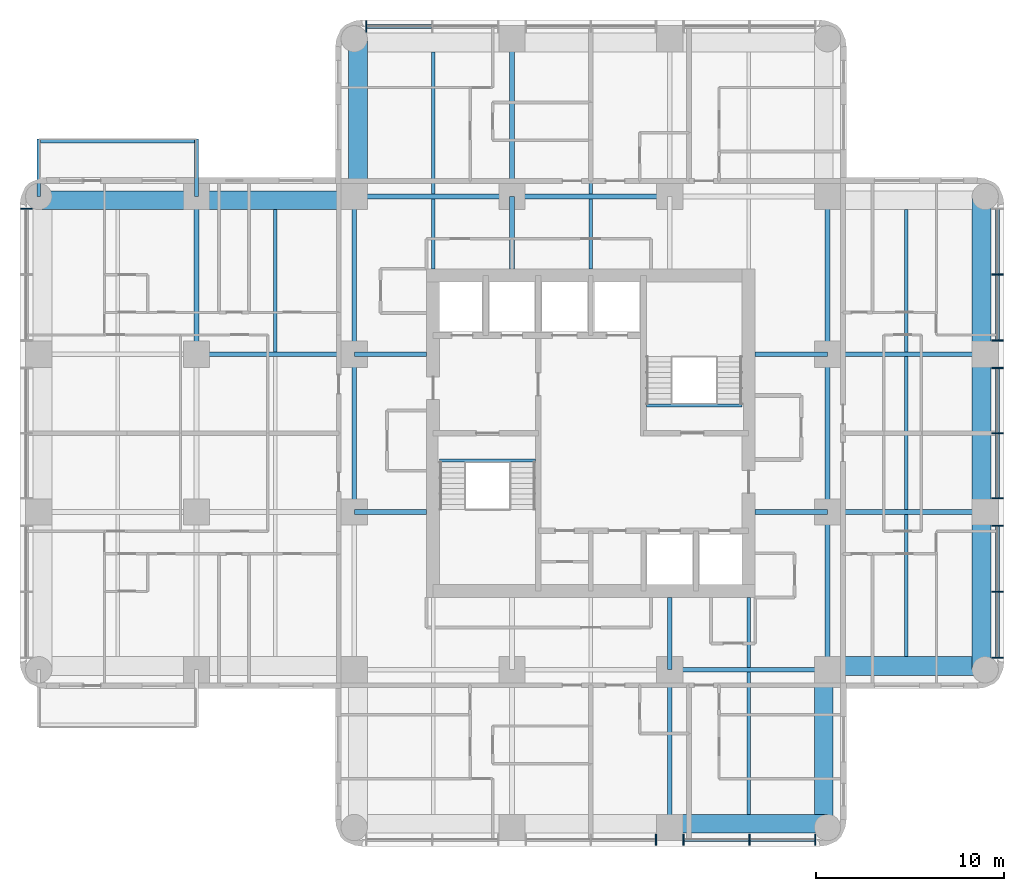
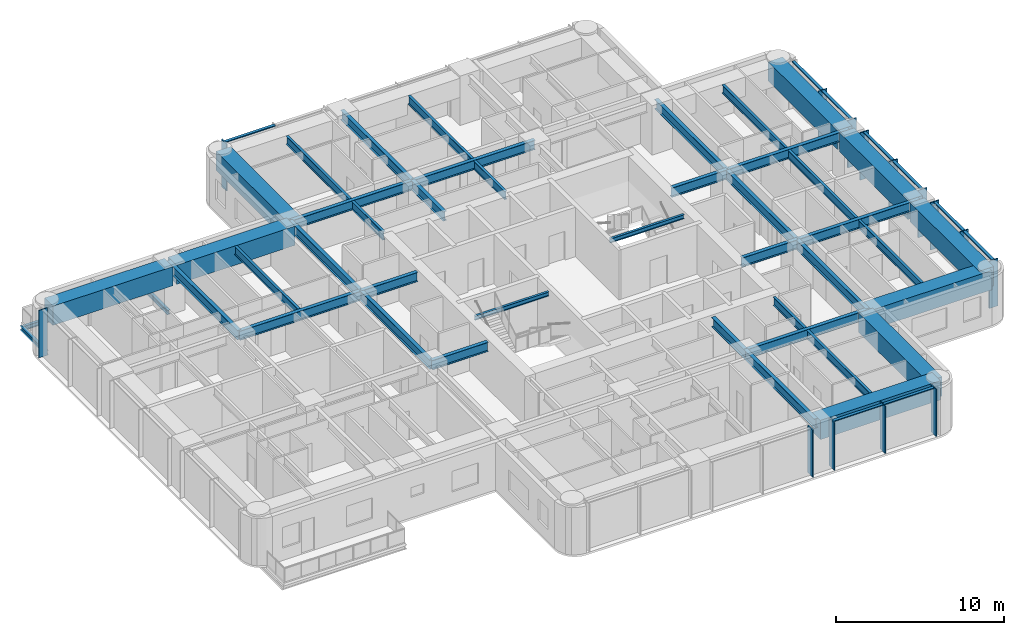
# One storey, part 2 of 11: 44 beams, 23 members, 4 elements without a shape of their own.
"""IFC4 building model written with IfcOpenShell, lengths in metres."""

from ifc_helpers import new_model, si_unit, direction, frame, origin, origin_2d, place, context, subcontext, project, spatial, rectangle, i_section, extrude, material, material_profile, profile_set, type_object, element, aggregate, save


model = new_model("IFC4")

# Units and contexts
model_context = context("Model", 3, precision=1e-05, world=origin(), true_north=direction((0.0, 1.0)))
body_context = subcontext(model_context, "Body", "Model", "MODEL_VIEW")
ifc_project = project(units=[si_unit("LENGTHUNIT", "METRE"), si_unit("AREAUNIT", "SQUARE_METRE"), si_unit("VOLUMEUNIT", "CUBIC_METRE"), si_unit("PLANEANGLEUNIT", "RADIAN"), si_unit("MASSUNIT", "GRAM", prefix="KILO")], contexts=[model_context])

# Site, building, storey
site_placement = place(None, origin())
site = spatial("IfcSite", under=ifc_project, at=site_placement, CompositionType="ELEMENT")
building_placement = place(site_placement, origin())
building = spatial("IfcBuilding", under=site, at=building_placement, Name="Torre Alcanfor", CompositionType="ELEMENT")
storey_placement = place(building_placement, frame((0.0, 0.0, 208.5)))
storey = spatial("IfcBuildingStorey", under=building, at=storey_placement, Name="L54", CompositionType="ELEMENT", Elevation=208.5)

# Beams
ifc_material_1 = material(Name="Steel ASTM A992 Grade 50", Category="steel")
ifc_material_profile_1 = material_profile(ifc_material_1, i_section(OverallWidth=0.205322265625, OverallDepth=0.309814453125, WebThickness=0.00927734375, FlangeThickness=0.016357421875, at=origin_2d()), Name="W12x50")
ifc_profile_set_1 = profile_set([ifc_material_profile_1], Name="Steel ASTM A992 Grade 50")
beam_type_1 = type_object("IfcBeamType", Name="Balcony cantilever beam W12x50", PredefinedType="BEAM", material=ifc_profile_set_1)
for number, where, z_axis, x_axis, name in (
    (1, (8.39990234375, 42.0, -0.35498046875), (0.0, 1.0, 0.0), (-1.0, 0.0, 0.0), "Balcony cantilever beam L54-W2 1"),
    (2, (0.0, 42.0, -0.35498046875), (0.0, 1.0, 0.0), (-1.0, 0.0, 0.0), "Balcony cantilever beam L54-W2 2"),
):
    element("IfcBeam", number, at=place(storey_placement, frame(where, z_axis=z_axis, x_axis=x_axis)), inside=storey, type_object=beam_type_1, Name=name, PredefinedType="BEAM", context=body_context, shape_type="SweptSolid", body=[
        extrude(i_section(OverallWidth=0.205322265625, OverallDepth=0.309814453125, WebThickness=0.00927734375, FlangeThickness=0.016357421875, at=origin_2d()), origin(), (0.0, 0.0, 1.0), 3.050048828125),
    ])
ifc_material_2 = material(Name="Steel ASTM A992 Grade 50", Category="steel")
ifc_material_profile_2 = material_profile(ifc_material_2, i_section(OverallWidth=0.203369140625, OverallDepth=0.30224609375, WebThickness=0.007568359375, FlangeThickness=0.01318359375, at=origin_2d()), Name="W12x40")
ifc_profile_set_2 = profile_set([ifc_material_profile_2], Name="Steel ASTM A992 Grade 50")
beam_type_2 = type_object("IfcBeamType", Name="Balcony edge trimmer W12x40", PredefinedType="BEAM", material=ifc_profile_set_2)
beam_1_placement = place(storey_placement, frame((8.39990234375, 44.9482421875, -0.35107421875), z_axis=(-1.0, 0.0, 0.0), x_axis=(0.0, -1.0, 0.0)))
element("IfcBeam", 3, at=beam_1_placement, inside=storey, type_object=beam_type_2, Name="Balcony edge trimmer L54-W2", PredefinedType="BEAM", context=body_context, shape_type="SweptSolid", body=[
    extrude(i_section(OverallWidth=0.203369140625, OverallDepth=0.30224609375, WebThickness=0.007568359375, FlangeThickness=0.01318359375, at=origin_2d()), origin(), (0.0, 0.0, 1.0), 8.39990234375),
])

# Curtain wall, member
ifc_material_3 = material(Name="Aluminium and glass", Category="aluminium")
curtain_wall_type = type_object("IfcCurtainWallType", Name="CW-A unitised apartment glazing with vertical FIN", PredefinedType="NOTDEFINED", material=ifc_material_3)
curtain_wall_1_placement = place(storey_placement, origin())
curtain_wall_1 = element("IfcCurtainWall", 4, at=curtain_wall_1_placement, inside=storey, type_object=curtain_wall_type, Name="Curtain wall CW-A L54 2", PredefinedType="NOTDEFINED")
ifc_material_4 = material(Name="Bronze anodised aluminium", Category="aluminium")
ifc_material_profile_3 = material_profile(ifc_material_4, rectangle(XDim=0.60009765625, YDim=0.06494140625, at=origin_2d()), Name="CW-A mullion 65x600")
ifc_profile_set_3 = profile_set([ifc_material_profile_3], Name="Bronze anodised aluminium")
member_type_1 = type_object("IfcMemberType", Name="CW-A mullion with vertical FIN 65x600", PredefinedType="MULLION", material=ifc_profile_set_3)
member_1_placement = place(storey_placement, frame((-0.64990234375, 41.35546875, 0.0), z_axis=(0.0, 0.0, 1.0), x_axis=(1.0, 0.0, 0.0)))
member_1 = element("IfcMember", 5, at=member_1_placement, type_object=member_type_1, Name="CW-A mullion 1.1", PredefinedType="MULLION", context=body_context, shape_type="SweptSolid", body=[
    extrude(rectangle(XDim=0.60009765625, YDim=0.06494140625, at=origin_2d()), origin(), (0.0, 0.0, 1.0), 3.449951171875),
])
aggregate(curtain_wall_1, [member_1])

# Curtain wall, members
curtain_wall_2_placement = place(storey_placement, origin())
curtain_wall_2 = element("IfcCurtainWall", 6, at=curtain_wall_2_placement, inside=storey, type_object=curtain_wall_type, Name="Curtain wall CW-A L54 5", PredefinedType="NOTDEFINED")
member_2_placement = place(storey_placement, frame((32.862548828125, 7.75, 0.0), z_axis=(0.0, 0.0, 1.0), x_axis=(0.0, 1.0, 0.0)))
member_2 = element("IfcMember", 7, at=member_2_placement, type_object=member_type_1, Name="CW-A mullion 2.3", PredefinedType="MULLION", context=body_context, shape_type="SweptSolid", body=[
    extrude(rectangle(XDim=0.60009765625, YDim=0.06494140625, at=origin_2d()), origin(), (0.0, 0.0, 1.0), 3.449951171875),
])
member_3_placement = place(storey_placement, frame((34.33740234375, 7.75, 0.0), z_axis=(0.0, 0.0, 1.0), x_axis=(0.0, 1.0, 0.0)))
member_3 = element("IfcMember", 8, at=member_3_placement, type_object=member_type_1, Name="CW-A mullion 3.1", PredefinedType="MULLION", context=body_context, shape_type="SweptSolid", body=[
    extrude(rectangle(XDim=0.60009765625, YDim=0.06494140625, at=origin_2d()), origin(), (0.0, 0.0, 1.0), 3.449951171875),
])
member_4_placement = place(storey_placement, frame((37.846435546875, 7.75, 0.0), z_axis=(0.0, 0.0, 1.0), x_axis=(0.0, 1.0, 0.0)))
member_4 = element("IfcMember", 9, at=member_4_placement, type_object=member_type_1, Name="CW-A mullion 3.2", PredefinedType="MULLION", context=body_context, shape_type="SweptSolid", body=[
    extrude(rectangle(XDim=0.60009765625, YDim=0.06494140625, at=origin_2d()), origin(), (0.0, 0.0, 1.0), 3.449951171875),
])
member_5_placement = place(storey_placement, frame((41.35546875, 7.75, 0.0), z_axis=(0.0, 0.0, 1.0), x_axis=(0.0, 1.0, 0.0)))
member_5 = element("IfcMember", 10, at=member_5_placement, type_object=member_type_1, Name="CW-A mullion 3.3", PredefinedType="MULLION", context=body_context, shape_type="SweptSolid", body=[
    extrude(rectangle(XDim=0.60009765625, YDim=0.06494140625, at=origin_2d()), origin(), (0.0, 0.0, 1.0), 3.449951171875),
])

curtain_wall_3_placement = place(storey_placement, origin())
curtain_wall_3 = element("IfcCurtainWall", 11, at=curtain_wall_3_placement, inside=storey, type_object=curtain_wall_type, Name="Curtain wall CW-A L54 8", PredefinedType="NOTDEFINED")
member_6_placement = place(storey_placement, frame((51.050048828125, 17.444580078125, 0.0), z_axis=(0.0, 0.0, 1.0), x_axis=(-1.0, 0.0, 0.0)))
member_6 = element("IfcMember", 12, at=member_6_placement, type_object=member_type_1, Name="CW-A mullion 1.1", PredefinedType="MULLION", context=body_context, shape_type="SweptSolid", body=[
    extrude(rectangle(XDim=0.60009765625, YDim=0.06494140625, at=origin_2d()), origin(), (0.0, 0.0, 1.0), 3.449951171875),
])
member_7_placement = place(storey_placement, frame((51.050048828125, 20.95361328125, 0.0), z_axis=(0.0, 0.0, 1.0), x_axis=(-1.0, 0.0, 0.0)))
member_7 = element("IfcMember", 13, at=member_7_placement, type_object=member_type_1, Name="CW-A mullion 1.2", PredefinedType="MULLION", context=body_context, shape_type="SweptSolid", body=[
    extrude(rectangle(XDim=0.60009765625, YDim=0.06494140625, at=origin_2d()), origin(), (0.0, 0.0, 1.0), 3.449951171875),
])
member_8_placement = place(storey_placement, frame((51.050048828125, 24.46240234375, 0.0), z_axis=(0.0, 0.0, 1.0), x_axis=(-1.0, 0.0, 0.0)))
member_8 = element("IfcMember", 14, at=member_8_placement, type_object=member_type_1, Name="CW-A mullion 1.3", PredefinedType="MULLION", context=body_context, shape_type="SweptSolid", body=[
    extrude(rectangle(XDim=0.60009765625, YDim=0.06494140625, at=origin_2d()), origin(), (0.0, 0.0, 1.0), 3.449951171875),
])
member_9_placement = place(storey_placement, frame((51.050048828125, 25.9375, 0.0), z_axis=(0.0, 0.0, 1.0), x_axis=(-1.0, 0.0, 0.0)))
member_9 = element("IfcMember", 15, at=member_9_placement, type_object=member_type_1, Name="CW-A mullion 2.1", PredefinedType="MULLION", context=body_context, shape_type="SweptSolid", body=[
    extrude(rectangle(XDim=0.60009765625, YDim=0.06494140625, at=origin_2d()), origin(), (0.0, 0.0, 1.0), 3.449951171875),
])
member_10_placement = place(storey_placement, frame((51.050048828125, 29.39990234375, 0.0), z_axis=(0.0, 0.0, 1.0), x_axis=(-1.0, 0.0, 0.0)))
member_10 = element("IfcMember", 16, at=member_10_placement, type_object=member_type_1, Name="CW-A mullion 2.2", PredefinedType="MULLION", context=body_context, shape_type="SweptSolid", body=[
    extrude(rectangle(XDim=0.60009765625, YDim=0.06494140625, at=origin_2d()), origin(), (0.0, 0.0, 1.0), 3.449951171875),
])
member_11_placement = place(storey_placement, frame((51.050048828125, 32.862548828125, 0.0), z_axis=(0.0, 0.0, 1.0), x_axis=(-1.0, 0.0, 0.0)))
member_11 = element("IfcMember", 17, at=member_11_placement, type_object=member_type_1, Name="CW-A mullion 2.3", PredefinedType="MULLION", context=body_context, shape_type="SweptSolid", body=[
    extrude(rectangle(XDim=0.60009765625, YDim=0.06494140625, at=origin_2d()), origin(), (0.0, 0.0, 1.0), 3.449951171875),
])
member_12_placement = place(storey_placement, frame((51.050048828125, 34.33740234375, 0.0), z_axis=(0.0, 0.0, 1.0), x_axis=(-1.0, 0.0, 0.0)))
member_12 = element("IfcMember", 18, at=member_12_placement, type_object=member_type_1, Name="CW-A mullion 3.1", PredefinedType="MULLION", context=body_context, shape_type="SweptSolid", body=[
    extrude(rectangle(XDim=0.60009765625, YDim=0.06494140625, at=origin_2d()), origin(), (0.0, 0.0, 1.0), 3.449951171875),
])
member_13_placement = place(storey_placement, frame((51.050048828125, 37.846435546875, 0.0), z_axis=(0.0, 0.0, 1.0), x_axis=(-1.0, 0.0, 0.0)))
member_13 = element("IfcMember", 19, at=member_13_placement, type_object=member_type_1, Name="CW-A mullion 3.2", PredefinedType="MULLION", context=body_context, shape_type="SweptSolid", body=[
    extrude(rectangle(XDim=0.60009765625, YDim=0.06494140625, at=origin_2d()), origin(), (0.0, 0.0, 1.0), 3.449951171875),
])

# Curtain wall, member
curtain_wall_4_placement = place(storey_placement, origin())
curtain_wall_4 = element("IfcCurtainWall", 20, at=curtain_wall_4_placement, inside=storey, type_object=curtain_wall_type, Name="Curtain wall CW-A L54 11", PredefinedType="NOTDEFINED")
member_14_placement = place(storey_placement, frame((17.444580078125, 51.050048828125, 0.0), z_axis=(0.0, 0.0, 1.0), x_axis=(0.0, -1.0, 0.0)))
member_14 = element("IfcMember", 21, at=member_14_placement, type_object=member_type_1, Name="CW-A mullion 3.3", PredefinedType="MULLION", context=body_context, shape_type="SweptSolid", body=[
    extrude(rectangle(XDim=0.60009765625, YDim=0.06494140625, at=origin_2d()), origin(), (0.0, 0.0, 1.0), 3.449951171875),
])

# Member
ifc_material_5 = material(Name="Extruded aluminium", Category="aluminium")
ifc_material_profile_4 = material_profile(ifc_material_5, rectangle(XDim=0.199951171875, YDim=0.06494140625, at=origin_2d()), Name="CW-A transom 200x65")
ifc_profile_set_4 = profile_set([ifc_material_profile_4], Name="Extruded aluminium")
member_type_2 = type_object("IfcMemberType", Name="CW-A transom 65x200", PredefinedType="USERDEFINED", material=ifc_profile_set_4)
member_15_placement = place(storey_placement, frame((34.3701171875, 7.75, 3.41748046875), z_axis=(1.0, 0.0, 0.0), x_axis=(0.0, 1.0, 0.0)))
member_15 = element("IfcMember", 22, at=member_15_placement, type_object=member_type_2, Name="CW-A transom 3.1.2", ObjectType="TRANSOM", PredefinedType="USERDEFINED", context=body_context, shape_type="SweptSolid", body=[
    extrude(rectangle(XDim=0.199951171875, YDim=0.06494140625, at=origin_2d()), origin(), (0.0, 0.0, 1.0), 3.44384765625),
])

member_16_placement = place(storey_placement, frame((37.87890625, 7.75, 3.41748046875), z_axis=(1.0, 0.0, 0.0), x_axis=(0.0, 1.0, 0.0)))
member_16 = element("IfcMember", 23, at=member_16_placement, type_object=member_type_2, Name="CW-A transom 3.2.2", ObjectType="TRANSOM", PredefinedType="USERDEFINED", context=body_context, shape_type="SweptSolid", body=[
    extrude(rectangle(XDim=0.199951171875, YDim=0.06494140625, at=origin_2d()), origin(), (0.0, 0.0, 1.0), 3.444091796875),
])

aggregate(curtain_wall_2, [member_2, member_3, member_4, member_5, member_15, member_16])

member_17_placement = place(storey_placement, frame((51.050048828125, 17.47705078125, 3.41748046875), z_axis=(0.0, 1.0, 0.0), x_axis=(-1.0, 0.0, 0.0)))
member_17 = element("IfcMember", 24, at=member_17_placement, type_object=member_type_2, Name="CW-A transom 1.1.2", ObjectType="TRANSOM", PredefinedType="USERDEFINED", context=body_context, shape_type="SweptSolid", body=[
    extrude(rectangle(XDim=0.199951171875, YDim=0.06494140625, at=origin_2d()), origin(), (0.0, 0.0, 1.0), 3.44384765625),
])

member_18_placement = place(storey_placement, frame((51.050048828125, 20.986083984375, 3.41748046875), z_axis=(0.0, 1.0, 0.0), x_axis=(-1.0, 0.0, 0.0)))
member_18 = element("IfcMember", 25, at=member_18_placement, type_object=member_type_2, Name="CW-A transom 1.2.2", ObjectType="TRANSOM", PredefinedType="USERDEFINED", context=body_context, shape_type="SweptSolid", body=[
    extrude(rectangle(XDim=0.199951171875, YDim=0.06494140625, at=origin_2d()), origin(), (0.0, 0.0, 1.0), 3.44384765625),
])

member_19_placement = place(storey_placement, frame((51.050048828125, 25.969970703125, 3.41748046875), z_axis=(0.0, 1.0, 0.0), x_axis=(-1.0, 0.0, 0.0)))
member_19 = element("IfcMember", 26, at=member_19_placement, type_object=member_type_2, Name="CW-A transom 2.1.2", ObjectType="TRANSOM", PredefinedType="USERDEFINED", context=body_context, shape_type="SweptSolid", body=[
    extrude(rectangle(XDim=0.199951171875, YDim=0.06494140625, at=origin_2d()), origin(), (0.0, 0.0, 1.0), 3.3974609375),
])

member_20_placement = place(storey_placement, frame((51.050048828125, 29.4326171875, 3.41748046875), z_axis=(0.0, 1.0, 0.0), x_axis=(-1.0, 0.0, 0.0)))
member_20 = element("IfcMember", 27, at=member_20_placement, type_object=member_type_2, Name="CW-A transom 2.2.2", ObjectType="TRANSOM", PredefinedType="USERDEFINED", context=body_context, shape_type="SweptSolid", body=[
    extrude(rectangle(XDim=0.199951171875, YDim=0.06494140625, at=origin_2d()), origin(), (0.0, 0.0, 1.0), 3.3974609375),
])

member_21_placement = place(storey_placement, frame((51.050048828125, 34.3701171875, 3.41748046875), z_axis=(0.0, 1.0, 0.0), x_axis=(-1.0, 0.0, 0.0)))
member_21 = element("IfcMember", 28, at=member_21_placement, type_object=member_type_2, Name="CW-A transom 3.1.2", ObjectType="TRANSOM", PredefinedType="USERDEFINED", context=body_context, shape_type="SweptSolid", body=[
    extrude(rectangle(XDim=0.199951171875, YDim=0.06494140625, at=origin_2d()), origin(), (0.0, 0.0, 1.0), 3.44384765625),
])

member_22_placement = place(storey_placement, frame((51.050048828125, 37.87890625, 3.41748046875), z_axis=(0.0, 1.0, 0.0), x_axis=(-1.0, 0.0, 0.0)))
member_22 = element("IfcMember", 29, at=member_22_placement, type_object=member_type_2, Name="CW-A transom 3.2.2", ObjectType="TRANSOM", PredefinedType="USERDEFINED", context=body_context, shape_type="SweptSolid", body=[
    extrude(rectangle(XDim=0.199951171875, YDim=0.06494140625, at=origin_2d()), origin(), (0.0, 0.0, 1.0), 3.444091796875),
])

aggregate(curtain_wall_3, [member_6, member_7, member_8, member_17, member_18, member_9, member_10, member_11, member_19, member_20, member_12, member_13, member_21, member_22])

member_23_placement = place(storey_placement, frame((20.9208984375, 51.050048828125, 3.41748046875), z_axis=(-1.0, 0.0, 0.0), x_axis=(0.0, -1.0, 0.0)))
member_23 = element("IfcMember", 30, at=member_23_placement, type_object=member_type_2, Name="CW-A transom 3.2.2", ObjectType="TRANSOM", PredefinedType="USERDEFINED", context=body_context, shape_type="SweptSolid", body=[
    extrude(rectangle(XDim=0.199951171875, YDim=0.06494140625, at=origin_2d()), origin(), (0.0, 0.0, 1.0), 3.44384765625),
])

aggregate(curtain_wall_4, [member_14, member_23])

# Beams
ifc_material_6 = material(Name="Steel ASTM A992 Grade 50", Category="steel")
ifc_material_profile_5 = material_profile(ifc_material_6, i_section(OverallWidth=0.25390625, OverallDepth=0.683349609375, WebThickness=0.012451171875, FlangeThickness=0.01904296875, at=origin_2d()), Name="W27x94")
ifc_profile_set_5 = profile_set([ifc_material_profile_5], Name="Steel ASTM A992 Grade 50")
beam_type_3 = type_object("IfcBeamType", Name="Girder W27x94", PredefinedType="BEAM", material=ifc_profile_set_5)
for number, where, z_axis, x_axis, name in (
    (31, (33.60009765625, 16.800048828125, 3.1083984375), (1.0, 0.0, 0.0), (0.0, 1.0, 0.0), "Beam 5E-6E under L55"),
    (32, (42.0, 25.199951171875, 3.1083984375), (1.0, 0.0, 0.0), (0.0, 1.0, 0.0), "Beam 6F-7F under L55"),
):
    element("IfcBeam", number, at=place(storey_placement, frame(where, z_axis=z_axis, x_axis=x_axis)), inside=storey, type_object=beam_type_3, Name=name, PredefinedType="BEAM", context=body_context, shape_type="SweptSolid", body=[
        extrude(i_section(OverallWidth=0.25390625, OverallDepth=0.683349609375, WebThickness=0.012451171875, FlangeThickness=0.01904296875, at=origin_2d()), origin(), (0.0, 0.0, 1.0), 8.39990234375),
    ])
beam_2_placement = place(storey_placement, frame((8.39990234375, 33.60009765625, 3.1083984375), z_axis=(1.0, 0.0, 0.0), x_axis=(0.0, 1.0, 0.0)))
element("IfcBeam", 33, at=beam_2_placement, inside=storey, type_object=beam_type_3, Name="Beam 2G-3G under L55", PredefinedType="BEAM", context=body_context, shape_type="SweptSolid", body=[
    extrude(i_section(OverallWidth=0.25390625, OverallDepth=0.683349609375, WebThickness=0.012451171875, FlangeThickness=0.01904296875, at=origin_2d()), origin(), (0.0, 0.0, 1.0), 8.400146484375),
])
for number, where, z_axis, x_axis, name in (
    (34, (42.0, 33.60009765625, 3.1083984375), (1.0, 0.0, 0.0), (0.0, 1.0, 0.0), "Beam 6G-7G under L55"),
    (35, (16.800048828125, 42.0, 3.1083984375), (1.0, 0.0, 0.0), (0.0, 1.0, 0.0), "Beam 3H-4H under L55"),
):
    element("IfcBeam", number, at=place(storey_placement, frame(where, z_axis=z_axis, x_axis=x_axis)), inside=storey, type_object=beam_type_3, Name=name, PredefinedType="BEAM", context=body_context, shape_type="SweptSolid", body=[
        extrude(i_section(OverallWidth=0.25390625, OverallDepth=0.683349609375, WebThickness=0.012451171875, FlangeThickness=0.01904296875, at=origin_2d()), origin(), (0.0, 0.0, 1.0), 8.39990234375),
    ])
beam_3_placement = place(storey_placement, frame((25.199951171875, 42.0, 3.1083984375), z_axis=(1.0, 0.0, 0.0), x_axis=(0.0, 1.0, 0.0)))
element("IfcBeam", 36, at=beam_3_placement, inside=storey, type_object=beam_type_3, Name="Beam 4H-5H under L55", PredefinedType="BEAM", context=body_context, shape_type="SweptSolid", body=[
    extrude(i_section(OverallWidth=0.25390625, OverallDepth=0.683349609375, WebThickness=0.012451171875, FlangeThickness=0.01904296875, at=origin_2d()), origin(), (0.0, 0.0, 1.0), 8.400146484375),
])
beam_4_placement = place(storey_placement, frame((8.39990234375, 33.60009765625, 3.1083984375), z_axis=(0.0, 1.0, 0.0), x_axis=(-1.0, 0.0, 0.0)))
element("IfcBeam", 37, at=beam_4_placement, inside=storey, type_object=beam_type_3, Name="Beam 2G-2H under L55", PredefinedType="BEAM", context=body_context, shape_type="SweptSolid", body=[
    extrude(i_section(OverallWidth=0.25390625, OverallDepth=0.683349609375, WebThickness=0.012451171875, FlangeThickness=0.01904296875, at=origin_2d()), origin(), (0.0, 0.0, 1.0), 8.39990234375),
])
beam_5_placement = place(storey_placement, frame((16.800048828125, 25.199951171875, 3.1083984375), z_axis=(0.0, 1.0, 0.0), x_axis=(-1.0, 0.0, 0.0)))
element("IfcBeam", 38, at=beam_5_placement, inside=storey, type_object=beam_type_3, Name="Beam 3F-3G under L55", PredefinedType="BEAM", context=body_context, shape_type="SweptSolid", body=[
    extrude(i_section(OverallWidth=0.25390625, OverallDepth=0.683349609375, WebThickness=0.012451171875, FlangeThickness=0.01904296875, at=origin_2d()), origin(), (0.0, 0.0, 1.0), 8.400146484375),
])
for number, where, z_axis, x_axis, name in (
    (39, (16.800048828125, 33.60009765625, 3.1083984375), (0.0, 1.0, 0.0), (-1.0, 0.0, 0.0), "Beam 3G-3H under L55"),
    (40, (25.199951171875, 42.0, 3.1083984375), (0.0, 1.0, 0.0), (-1.0, 0.0, 0.0), "Beam 4H-4J under L55"),
):
    element("IfcBeam", number, at=place(storey_placement, frame(where, z_axis=z_axis, x_axis=x_axis)), inside=storey, type_object=beam_type_3, Name=name, PredefinedType="BEAM", context=body_context, shape_type="SweptSolid", body=[
        extrude(i_section(OverallWidth=0.25390625, OverallDepth=0.683349609375, WebThickness=0.012451171875, FlangeThickness=0.01904296875, at=origin_2d()), origin(), (0.0, 0.0, 1.0), 8.39990234375),
    ])
beam_6_placement = place(storey_placement, frame((33.60009765625, 8.39990234375, 3.1083984375), z_axis=(0.0, 1.0, 0.0), x_axis=(-1.0, 0.0, 0.0)))
element("IfcBeam", 41, at=beam_6_placement, inside=storey, type_object=beam_type_3, Name="Beam 5D-5E under L55", PredefinedType="BEAM", context=body_context, shape_type="SweptSolid", body=[
    extrude(i_section(OverallWidth=0.25390625, OverallDepth=0.683349609375, WebThickness=0.012451171875, FlangeThickness=0.01904296875, at=origin_2d()), origin(), (0.0, 0.0, 1.0), 8.400146484375),
])
beam_7_placement = place(storey_placement, frame((42.0, 16.800048828125, 3.1083984375), z_axis=(0.0, 1.0, 0.0), x_axis=(-1.0, 0.0, 0.0)))
element("IfcBeam", 42, at=beam_7_placement, inside=storey, type_object=beam_type_3, Name="Beam 6E-6F under L55", PredefinedType="BEAM", context=body_context, shape_type="SweptSolid", body=[
    extrude(i_section(OverallWidth=0.25390625, OverallDepth=0.683349609375, WebThickness=0.012451171875, FlangeThickness=0.01904296875, at=origin_2d()), origin(), (0.0, 0.0, 1.0), 8.39990234375),
])
beam_8_placement = place(storey_placement, frame((42.0, 25.199951171875, 3.1083984375), z_axis=(0.0, 1.0, 0.0), x_axis=(-1.0, 0.0, 0.0)))
element("IfcBeam", 43, at=beam_8_placement, inside=storey, type_object=beam_type_3, Name="Beam 6F-6G under L55", PredefinedType="BEAM", context=body_context, shape_type="SweptSolid", body=[
    extrude(i_section(OverallWidth=0.25390625, OverallDepth=0.683349609375, WebThickness=0.012451171875, FlangeThickness=0.01904296875, at=origin_2d()), origin(), (0.0, 0.0, 1.0), 8.400146484375),
])
beam_9_placement = place(storey_placement, frame((42.0, 33.60009765625, 3.1083984375), z_axis=(0.0, 1.0, 0.0), x_axis=(-1.0, 0.0, 0.0)))
element("IfcBeam", 44, at=beam_9_placement, inside=storey, type_object=beam_type_3, Name="Beam 6G-6H under L55", PredefinedType="BEAM", context=body_context, shape_type="SweptSolid", body=[
    extrude(i_section(OverallWidth=0.25390625, OverallDepth=0.683349609375, WebThickness=0.012451171875, FlangeThickness=0.01904296875, at=origin_2d()), origin(), (0.0, 0.0, 1.0), 8.39990234375),
])
ifc_material_7 = material(Name="Steel ASTM A992 Grade 50", Category="steel")
ifc_material_profile_6 = material_profile(ifc_material_7, i_section(OverallWidth=0.25390625, OverallDepth=0.683349609375, WebThickness=0.012451171875, FlangeThickness=0.01904296875, at=origin_2d()), Name="W27x94")
ifc_profile_set_6 = profile_set([ifc_material_profile_6], Name="Steel ASTM A992 Grade 50")
beam_type_4 = type_object("IfcBeamType", Name="Girder, part bay W27x94", PredefinedType="BEAM", material=ifc_profile_set_6)
beam_10_placement = place(storey_placement, frame((25.199951171875, 42.0, 3.1083984375), z_axis=(0.0, -1.0, 0.0), x_axis=(1.0, 0.0, 0.0)))
element("IfcBeam", 45, at=beam_10_placement, inside=storey, type_object=beam_type_4, Name="Beam 4H-438_15 under L55", PredefinedType="BEAM", context=body_context, shape_type="SweptSolid", body=[
    extrude(i_section(OverallWidth=0.25390625, OverallDepth=0.683349609375, WebThickness=0.012451171875, FlangeThickness=0.01904296875, at=origin_2d()), origin(), (0.0, 0.0, 1.0), 3.85009765625),
])
for number, where, z_axis, x_axis, name in (
    (46, (33.60009765625, 16.800048828125, 3.1083984375), (0.0, 1.0, 0.0), (-1.0, 0.0, 0.0), "Beam 5E-520_65 under L55"),
    (47, (16.800048828125, 25.199951171875, 3.1083984375), (1.0, 0.0, 0.0), (0.0, 1.0, 0.0), "Beam 3F-20_65F under L55"),
):
    element("IfcBeam", number, at=place(storey_placement, frame(where, z_axis=z_axis, x_axis=x_axis)), inside=storey, type_object=beam_type_4, Name=name, PredefinedType="BEAM", context=body_context, shape_type="SweptSolid", body=[
        extrude(i_section(OverallWidth=0.25390625, OverallDepth=0.683349609375, WebThickness=0.012451171875, FlangeThickness=0.01904296875, at=origin_2d()), origin(), (0.0, 0.0, 1.0), 3.849853515625),
    ])
beam_11_placement = place(storey_placement, frame((42.0, 25.199951171875, 3.1083984375), z_axis=(-1.0, 0.0, 0.0), x_axis=(0.0, -1.0, 0.0)))
element("IfcBeam", 48, at=beam_11_placement, inside=storey, type_object=beam_type_4, Name="Beam 6F-38_15F under L55", PredefinedType="BEAM", context=body_context, shape_type="SweptSolid", body=[
    extrude(i_section(OverallWidth=0.25390625, OverallDepth=0.683349609375, WebThickness=0.012451171875, FlangeThickness=0.01904296875, at=origin_2d()), origin(), (0.0, 0.0, 1.0), 3.85009765625),
])
beam_12_placement = place(storey_placement, frame((16.800048828125, 33.60009765625, 3.1083984375), z_axis=(1.0, 0.0, 0.0), x_axis=(0.0, 1.0, 0.0)))
element("IfcBeam", 49, at=beam_12_placement, inside=storey, type_object=beam_type_4, Name="Beam 3G-20_65G under L55", PredefinedType="BEAM", context=body_context, shape_type="SweptSolid", body=[
    extrude(i_section(OverallWidth=0.25390625, OverallDepth=0.683349609375, WebThickness=0.012451171875, FlangeThickness=0.01904296875, at=origin_2d()), origin(), (0.0, 0.0, 1.0), 3.849853515625),
])
beam_13_placement = place(storey_placement, frame((42.0, 33.60009765625, 3.1083984375), z_axis=(-1.0, 0.0, 0.0), x_axis=(0.0, -1.0, 0.0)))
element("IfcBeam", 50, at=beam_13_placement, inside=storey, type_object=beam_type_4, Name="Beam 6G-38_15G under L55", PredefinedType="BEAM", context=body_context, shape_type="SweptSolid", body=[
    extrude(i_section(OverallWidth=0.25390625, OverallDepth=0.683349609375, WebThickness=0.012451171875, FlangeThickness=0.01904296875, at=origin_2d()), origin(), (0.0, 0.0, 1.0), 3.85009765625),
])
ifc_material_8 = material(Name="Concrete f'c 70 MPa", Category="concrete")
ifc_material_profile_7 = material_profile(ifc_material_8, rectangle(XDim=1.0, YDim=1.39990234375, at=origin_2d()), Name="1000x1400")
ifc_profile_set_7 = profile_set([ifc_material_profile_7], Name="Concrete f'c 70 MPa")
beam_type_5 = type_object("IfcBeamType", Name="RC perimeter beam 1000x1400", PredefinedType="BEAM", material=ifc_profile_set_7)
for number, where, z_axis, x_axis, name in (
    (51, (33.72705078125, 8.60009765625, 2.75), (1.0, 0.0, 0.0), (0.0, 1.0, 0.0), "Beam 5D-6D under L55"),
    (52, (42.126953125, 17.0, 2.75), (1.0, 0.0, 0.0), (0.0, 1.0, 0.0), "Beam 6E-7E under L55"),
    (53, (0.0, 41.800048828125, 2.75), (1.0, 0.0, 0.0), (0.0, 1.0, 0.0), "Beam 1H-2H under L55"),
):
    element("IfcBeam", number, at=place(storey_placement, frame(where, z_axis=z_axis, x_axis=x_axis)), inside=storey, type_object=beam_type_5, Name=name, PredefinedType="BEAM", context=body_context, shape_type="SweptSolid", body=[
        extrude(rectangle(XDim=1.0, YDim=1.39990234375, at=origin_2d()), origin(), (0.0, 0.0, 1.0), 8.27294921875),
    ])
beam_14_placement = place(storey_placement, frame((8.527099609375, 41.800048828125, 2.75), z_axis=(1.0, 0.0, 0.0), x_axis=(0.0, 1.0, 0.0)))
element("IfcBeam", 54, at=beam_14_placement, inside=storey, type_object=beam_type_5, Name="Beam 2H-3H under L55", PredefinedType="BEAM", context=body_context, shape_type="SweptSolid", body=[
    extrude(rectangle(XDim=1.0, YDim=1.39990234375, at=origin_2d()), origin(), (0.0, 0.0, 1.0), 8.14599609375),
])
beam_15_placement = place(storey_placement, frame((17.0, 42.126953125, 2.75), z_axis=(0.0, 1.0, 0.0), x_axis=(-1.0, 0.0, 0.0)))
element("IfcBeam", 55, at=beam_15_placement, inside=storey, type_object=beam_type_5, Name="Beam 3H-3J under L55", PredefinedType="BEAM", context=body_context, shape_type="SweptSolid", body=[
    extrude(rectangle(XDim=1.0, YDim=1.39990234375, at=origin_2d()), origin(), (0.0, 0.0, 1.0), 8.27294921875),
])
beam_16_placement = place(storey_placement, frame((41.800048828125, 8.39990234375, 2.75), z_axis=(0.0, 1.0, 0.0), x_axis=(-1.0, 0.0, 0.0)))
element("IfcBeam", 56, at=beam_16_placement, inside=storey, type_object=beam_type_5, Name="Beam 6D-6E under L55", PredefinedType="BEAM", context=body_context, shape_type="SweptSolid", body=[
    extrude(rectangle(XDim=1.0, YDim=1.39990234375, at=origin_2d()), origin(), (0.0, 0.0, 1.0), 8.273193359375),
])
beam_17_placement = place(storey_placement, frame((50.199951171875, 16.800048828125, 2.75), z_axis=(0.0, 1.0, 0.0), x_axis=(-1.0, 0.0, 0.0)))
element("IfcBeam", 57, at=beam_17_placement, inside=storey, type_object=beam_type_5, Name="Beam 7E-7F under L55", PredefinedType="BEAM", context=body_context, shape_type="SweptSolid", body=[
    extrude(rectangle(XDim=1.0, YDim=1.39990234375, at=origin_2d()), origin(), (0.0, 0.0, 1.0), 8.27294921875),
])
beam_18_placement = place(storey_placement, frame((50.199951171875, 25.326904296875, 2.75), z_axis=(0.0, 1.0, 0.0), x_axis=(-1.0, 0.0, 0.0)))
element("IfcBeam", 58, at=beam_18_placement, inside=storey, type_object=beam_type_5, Name="Beam 7F-7G under L55", PredefinedType="BEAM", context=body_context, shape_type="SweptSolid", body=[
    extrude(rectangle(XDim=1.0, YDim=1.39990234375, at=origin_2d()), origin(), (0.0, 0.0, 1.0), 8.14599609375),
])
beam_19_placement = place(storey_placement, frame((50.199951171875, 33.72705078125, 2.75), z_axis=(0.0, 1.0, 0.0), x_axis=(-1.0, 0.0, 0.0)))
element("IfcBeam", 59, at=beam_19_placement, inside=storey, type_object=beam_type_5, Name="Beam 7G-7H under L55", PredefinedType="BEAM", context=body_context, shape_type="SweptSolid", body=[
    extrude(rectangle(XDim=1.0, YDim=1.39990234375, at=origin_2d()), origin(), (0.0, 0.0, 1.0), 8.27294921875),
])
ifc_material_9 = material(Name="Steel ASTM A992 Grade 50", Category="steel")
ifc_material_profile_8 = material_profile(ifc_material_9, i_section(OverallWidth=0.1787109375, OverallDepth=0.60205078125, WebThickness=0.010986328125, FlangeThickness=0.014892578125, at=origin_2d()), Name="W24x62")
ifc_profile_set_8 = profile_set([ifc_material_profile_8], Name="Steel ASTM A992 Grade 50")
beam_type_6 = type_object("IfcBeamType", Name="Secondary beam W24x62", PredefinedType="BEAM", material=ifc_profile_set_8)
for number, where, z_axis, x_axis, name in (
    (60, (12.60009765625, 33.72705078125, 3.14892578125), (0.0, 1.0, 0.0), (-1.0, 0.0, 0.0), "Beam 12_6G-12_6H under L55"),
    (61, (21.0, 42.126953125, 3.14892578125), (0.0, 1.0, 0.0), (-1.0, 0.0, 0.0), "Beam 21H-21J under L55"),
    (62, (29.39990234375, 42.126953125, 3.14892578125), (0.0, 1.0, 0.0), (-1.0, 0.0, 0.0), "Beam 29_4H-29_4J under L55"),
    (63, (37.800048828125, 9.10009765625, 3.14892578125), (0.0, 1.0, 0.0), (-1.0, 0.0, 0.0), "Beam 37_8D-37_8E under L55"),
    (64, (46.199951171875, 17.5, 3.14892578125), (0.0, 1.0, 0.0), (-1.0, 0.0, 0.0), "Beam 46_2E-46_2F under L55"),
):
    element("IfcBeam", number, at=place(storey_placement, frame(where, z_axis=z_axis, x_axis=x_axis)), inside=storey, type_object=beam_type_6, Name=name, PredefinedType="BEAM", context=body_context, shape_type="SweptSolid", body=[
        extrude(i_section(OverallWidth=0.1787109375, OverallDepth=0.60205078125, WebThickness=0.010986328125, FlangeThickness=0.014892578125, at=origin_2d()), origin(), (0.0, 0.0, 1.0), 7.572998046875),
    ])
beam_20_placement = place(storey_placement, frame((46.199951171875, 25.326904296875, 3.14892578125), z_axis=(0.0, 1.0, 0.0), x_axis=(-1.0, 0.0, 0.0)))
element("IfcBeam", 65, at=beam_20_placement, inside=storey, type_object=beam_type_6, Name="Beam 46_2F-46_2G under L55", PredefinedType="BEAM", context=body_context, shape_type="SweptSolid", body=[
    extrude(i_section(OverallWidth=0.1787109375, OverallDepth=0.60205078125, WebThickness=0.010986328125, FlangeThickness=0.014892578125, at=origin_2d()), origin(), (0.0, 0.0, 1.0), 8.14599609375),
])
beam_21_placement = place(storey_placement, frame((46.199951171875, 33.72705078125, 3.14892578125), z_axis=(0.0, 1.0, 0.0), x_axis=(-1.0, 0.0, 0.0)))
element("IfcBeam", 66, at=beam_21_placement, inside=storey, type_object=beam_type_6, Name="Beam 46_2G-46_2H under L55", PredefinedType="BEAM", context=body_context, shape_type="SweptSolid", body=[
    extrude(i_section(OverallWidth=0.1787109375, OverallDepth=0.60205078125, WebThickness=0.010986328125, FlangeThickness=0.014892578125, at=origin_2d()), origin(), (0.0, 0.0, 1.0), 7.572998046875),
])
ifc_material_10 = material(Name="Steel ASTM A992 Grade 50", Category="steel")
ifc_material_profile_9 = material_profile(ifc_material_10, i_section(OverallWidth=0.1787109375, OverallDepth=0.60205078125, WebThickness=0.010986328125, FlangeThickness=0.014892578125, at=origin_2d()), Name="W24x62")
ifc_profile_set_9 = profile_set([ifc_material_profile_9], Name="Steel ASTM A992 Grade 50")
beam_type_7 = type_object("IfcBeamType", Name="Secondary beam, part bay W24x62", PredefinedType="BEAM", material=ifc_profile_set_9)
for number, where, z_axis, x_axis, name in (
    (67, (21.0, 38.14990234375, 3.14892578125), (0.0, 1.0, 0.0), (-1.0, 0.0, 0.0), "Beam 2138_15-21H under L55"),
    (68, (29.39990234375, 38.14990234375, 3.14892578125), (0.0, 1.0, 0.0), (-1.0, 0.0, 0.0), "Beam 29_438_15-29_4H under L55"),
):
    element("IfcBeam", number, at=place(storey_placement, frame(where, z_axis=z_axis, x_axis=x_axis)), inside=storey, type_object=beam_type_7, Name=name, PredefinedType="BEAM", context=body_context, shape_type="SweptSolid", body=[
        extrude(i_section(OverallWidth=0.1787109375, OverallDepth=0.60205078125, WebThickness=0.010986328125, FlangeThickness=0.014892578125, at=origin_2d()), origin(), (0.0, 0.0, 1.0), 3.72314453125),
    ])
beam_22_placement = place(storey_placement, frame((37.800048828125, 16.927001953125, 3.14892578125), z_axis=(0.0, 1.0, 0.0), x_axis=(-1.0, 0.0, 0.0)))
element("IfcBeam", 69, at=beam_22_placement, inside=storey, type_object=beam_type_7, Name="Beam 37_8E-37_820_65 under L55", PredefinedType="BEAM", context=body_context, shape_type="SweptSolid", body=[
    extrude(i_section(OverallWidth=0.1787109375, OverallDepth=0.60205078125, WebThickness=0.010986328125, FlangeThickness=0.014892578125, at=origin_2d()), origin(), (0.0, 0.0, 1.0), 3.722900390625),
])
ifc_material_11 = material(Name="Steel ASTM A992 Grade 50", Category="steel")
ifc_material_profile_10 = material_profile(ifc_material_11, i_section(OverallWidth=0.164794921875, OverallDepth=0.309814453125, WebThickness=0.005859375, FlangeThickness=0.009765625, at=origin_2d()), Name="W12x26")
ifc_profile_set_10 = profile_set([ifc_material_profile_10], Name="Steel ASTM A992 Grade 50")
beam_type_8 = type_object("IfcBeamType", Name="Stair landing beam W12x26", PredefinedType="BEAM", material=ifc_profile_set_10)
for number, where, z_axis, x_axis, name in (
    (70, (21.35009765625, 27.9375, 3.2451171875), (1.0, 0.0, 0.0), (0.0, 1.0, 0.0), "Landing trimmer S1 L55"),
    (71, (32.35009765625, 30.862548828125, 3.2451171875), (1.0, 0.0, 0.0), (0.0, 1.0, 0.0), "Landing trimmer S2 L55"),
):
    element("IfcBeam", number, at=place(storey_placement, frame(where, z_axis=z_axis, x_axis=x_axis)), inside=storey, type_object=beam_type_8, Name=name, PredefinedType="BEAM", context=body_context, shape_type="SweptSolid", body=[
        extrude(i_section(OverallWidth=0.164794921875, OverallDepth=0.309814453125, WebThickness=0.005859375, FlangeThickness=0.009765625, at=origin_2d()), origin(), (0.0, 0.0, 1.0), 5.099853515625),
    ])

save(model, "model.ifc")
